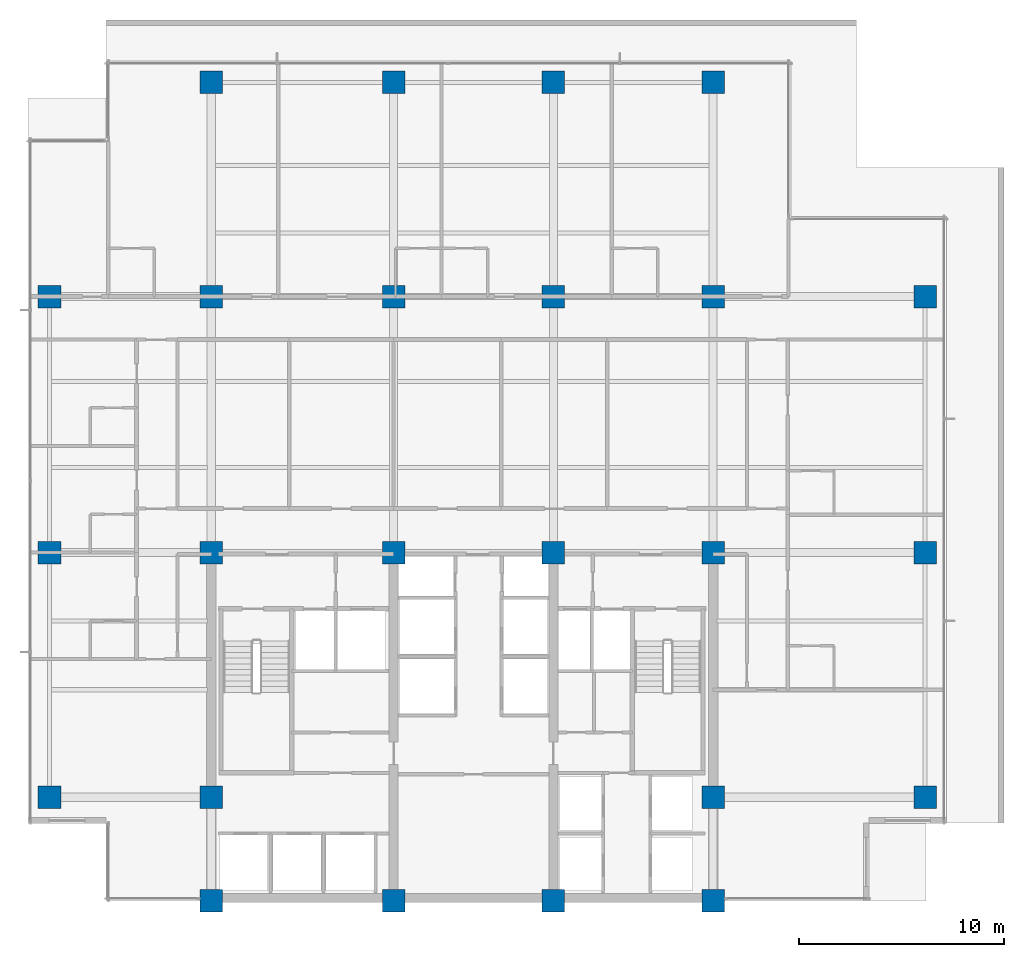
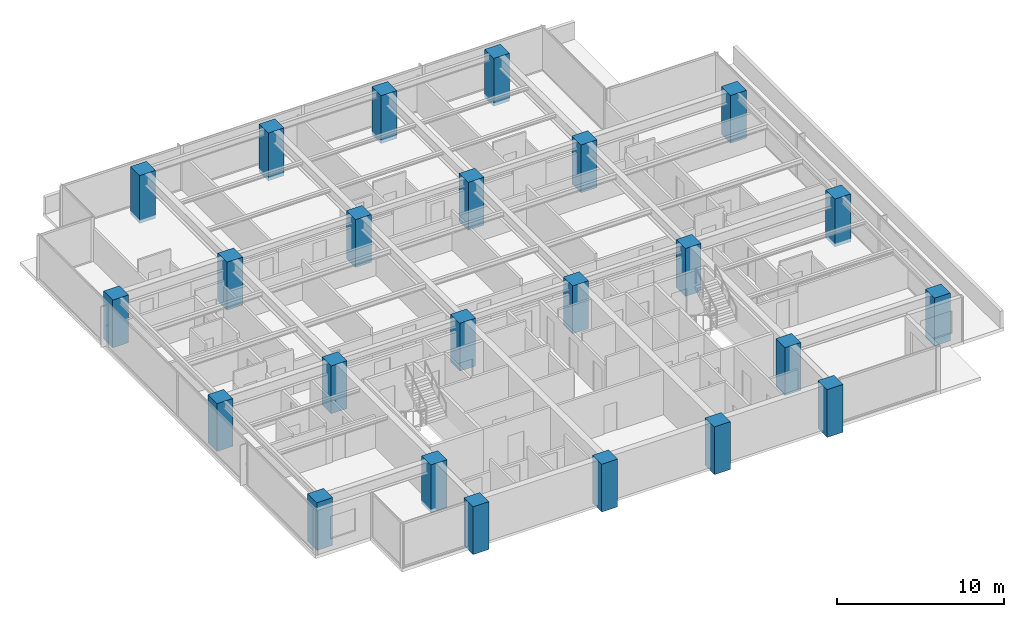
# One storey, part 1 of 16: 24 columns.
"""IFC4 building model written with IfcOpenShell, lengths in metres."""

import ifcopenshell
import ifcopenshell.guid

model = None  # the IFC model being written
_history = None  # IfcOwnerHistory: only IFC2X3 demands one
_inside = {}  # id of a spatial element -> (the spatial element, [elements in it])
_under = {}  # id of a project, library or spatial element -> (it, [spatial elements below it])
_declared = {}  # id of a project -> (the project, [libraries it declares])
_typed = {}  # id of a type object -> (the type object, [elements of that type])
_made_of = {}  # id of a material, layer set ... -> (it, [elements and type objects made of it])


def new_model(schema):
    """Start an empty IFC model of exactly this schema.

    Asked for "IFC4X3", IfcOpenShell would pick the latest addendum, in which some entities
    have other attributes; the version numbers below select the first issue.
    IFC2X3 requires an IfcOwnerHistory on every rooted entity: one is made here for all.
    """
    global model, _history
    if schema == "IFC4X3":
        model = ifcopenshell.file(schema_version=(4, 3, 0, 0))
    else:
        model = ifcopenshell.file(schema=schema)
    _inside.clear()
    _under.clear()
    _declared.clear()
    _typed.clear()
    _made_of.clear()
    _history = None
    if model.schema == "IFC2X3":
        org = make("IfcOrganization", Name="unknown")
        user = make(
            "IfcPersonAndOrganization",
            ThePerson=make("IfcPerson", FamilyName="unknown"),
            TheOrganization=org,
        )
        app = make(
            "IfcApplication",
            ApplicationDeveloper=org,
            Version="unknown",
            ApplicationFullName="unknown",
            ApplicationIdentifier="unknown",
        )
        _history = make(
            "IfcOwnerHistory",
            OwningUser=user,
            OwningApplication=app,
            ChangeAction="ADDED",
            CreationDate=0,
        )
    return model


def make(cls, **values):
    """One entity of the class cls with the attributes given. An attribute that is None is left unset."""
    return model.create_entity(
        cls, **{name: value for name, value in values.items() if value is not None}
    )


def rooted(cls, **values):
    """An entity with a GlobalId (a new one), such as an element, a storey or a relation."""
    return make(cls, GlobalId=ifcopenshell.guid.new(), OwnerHistory=_history, **values)


def si_unit(unit_type, name, prefix=None):
    """IfcSIUnit, for example si_unit("LENGTHUNIT", "METRE", prefix="MILLI")."""
    return make("IfcSIUnit", UnitType=unit_type, Prefix=prefix, Name=name)


def assignment(units):
    """IfcUnitAssignment: the units of a project."""
    return None if units is None else make("IfcUnitAssignment", Units=units)


def point(xyz):
    """IfcCartesianPoint."""
    return None if xyz is None else make("IfcCartesianPoint", Coordinates=xyz)


def direction(xyz):
    """IfcDirection."""
    return None if xyz is None else make("IfcDirection", DirectionRatios=xyz)


def frame(location, z_axis=None, x_axis=None):
    """IfcAxis2Placement3D, a coordinate frame: its origin and axes. An axis left out is left unset."""
    return make(
        "IfcAxis2Placement3D",
        Location=point(location),
        Axis=direction(z_axis),
        RefDirection=direction(x_axis),
    )


def frame_2d(location, x_axis=None):
    """IfcAxis2Placement2D, a coordinate frame in the plane: its origin and x axis."""
    return make(
        "IfcAxis2Placement2D", Location=point(location), RefDirection=direction(x_axis)
    )


def origin():
    """The frame at (0, 0, 0) with its axes left unset."""
    return frame((0.0, 0.0, 0.0))


def origin_2d():
    """The frame at (0, 0) in the plane with its x axis left unset."""
    return frame_2d((0.0, 0.0))


def place(relative_to, where):
    """IfcLocalPlacement: puts the frame where relative to a parent placement (None: the world)."""
    return make(
        "IfcLocalPlacement", PlacementRelTo=relative_to, RelativePlacement=where
    )


def context(
    kind, dimensions, precision=None, world=None, true_north=None, identifier=None
):
    """IfcGeometricRepresentationContext, for example the 3D "Model" context."""
    return make(
        "IfcGeometricRepresentationContext",
        ContextIdentifier=identifier,
        ContextType=kind,
        CoordinateSpaceDimension=dimensions,
        Precision=precision,
        WorldCoordinateSystem=world,
        TrueNorth=true_north,
    )


def subcontext(parent, identifier, kind, view, scale=None):
    """IfcGeometricRepresentationSubContext, for example "Body" below "Model"."""
    return make(
        "IfcGeometricRepresentationSubContext",
        ContextIdentifier=identifier,
        ContextType=kind,
        ParentContext=parent,
        TargetScale=scale,
        TargetView=view,
    )


def project(units=None, contexts=None):
    """IfcProject with its units and contexts."""
    return rooted(
        "IfcProject",
        Name="project",
        RepresentationContexts=contexts,
        UnitsInContext=assignment(units),
    )


def spatial(cls, under=None, at=None, **own):
    """A site, building, storey or space (cls), placed at a placement, below another one or the project."""
    s = rooted(cls, ObjectPlacement=at, **own)
    if under is not None:
        _under.setdefault(under.id(), (under, []))[1].append(s)
    return s


def profile(cls, at=None, kind="AREA", **sizes):
    """A parametric profile (cls). Its sizes go by their IFC names, for example OverallWidth=200.0."""
    return make(cls, ProfileType=kind, Position=at, **sizes)


def rectangle(**sizes):
    """IfcRectangleProfileDef."""
    return profile("IfcRectangleProfileDef", **sizes)


def extrude(swept, where, along, depth):
    """IfcExtrudedAreaSolid: the profile swept, set in the frame where, extruded along a direction by depth."""
    return make(
        "IfcExtrudedAreaSolid",
        SweptArea=swept,
        Position=where,
        ExtrudedDirection=direction(along),
        Depth=depth,
    )


def shape(context_of_items, identifier, shape_type, items):
    """IfcShapeRepresentation: the items that make up one representation, for example the "Body"."""
    return make(
        "IfcShapeRepresentation",
        ContextOfItems=context_of_items,
        RepresentationIdentifier=identifier,
        RepresentationType=shape_type,
        Items=items,
    )


def material(Name=None, Category=None):
    """IfcMaterial."""
    return make("IfcMaterial", Name=Name, Category=Category)


def material_profile(
    of_material, cross_section, Name=None, Category=None, Priority=None
):
    """IfcMaterialProfile: a cross section and its material."""
    return make(
        "IfcMaterialProfile",
        Name=Name,
        Material=of_material,
        Profile=cross_section,
        Priority=Priority,
        Category=Category,
    )


def profile_set(profiles, Name=None, composite=None):
    """IfcMaterialProfileSet."""
    return make(
        "IfcMaterialProfileSet",
        Name=Name,
        MaterialProfiles=profiles,
        CompositeProfile=composite,
    )


def made_of(thing, what):
    """Note that an element or type object is made of a material, layer set ...; save() writes the relation."""
    if what is not None:
        _made_of.setdefault(what.id(), (what, []))[1].append(thing)
    return thing


def type_object(cls, material=None, **own):
    """A type object (cls), such as IfcWallType, which elements share."""
    return made_of(rooted(cls, **own), material)


def element(
    cls,
    number,
    at=None,
    inside=None,
    cuts=None,
    type_object=None,
    material=None,
    context=None,
    identifier="Body",
    shape_type=None,
    held_by="IfcProductDefinitionShape",
    body=None,
    shapes=None,
    **own,
):
    """One element of the class cls, such as IfcWall. Its Tag is "e" and its number.

    at: its placement. inside: the storey or other place that contains it. cuts: it is an
    opening in that element (IfcRelVoidsElement). A single representation is given by context,
    identifier, shape_type and body (its items); several are given by shapes. held_by: the class
    of the entity that holds the representations. save() writes the other relations.
    """
    e = rooted(cls, Tag="e%d" % number, ObjectPlacement=at, **own)
    if body is not None:
        shapes = [shape(context, identifier, shape_type, body)]
    if shapes is not None:
        e.Representation = make(held_by, Representations=shapes)
    if inside is not None:
        _inside.setdefault(inside.id(), (inside, []))[1].append(e)
    if cuts is not None:
        rooted(
            "IfcRelVoidsElement", RelatingBuildingElement=cuts, RelatedOpeningElement=e
        )
    if type_object is not None:
        _typed.setdefault(type_object.id(), (type_object, []))[1].append(e)
    return made_of(e, material)


def aggregate(whole, parts):
    """IfcRelAggregates: a whole, such as a stair, and the parts it consists of."""
    return rooted("IfcRelAggregates", RelatingObject=whole, RelatedObjects=parts)


def save(model, path):
    """Write the relations noted so far, then the file.

    IfcRelAggregates (storeys below a building ...), IfcRelContainedInSpatialStructure (elements
    in a storey), IfcRelDefinesByType, IfcRelAssociatesMaterial and IfcRelDeclares: one each for
    every whole, place, type object, material and project.
    """
    for whole, parts in _under.values():
        aggregate(whole, parts)
    for where, things in _inside.values():
        rooted(
            "IfcRelContainedInSpatialStructure",
            RelatedElements=things,
            RelatingStructure=where,
        )
    for kind, things in _typed.values():
        rooted("IfcRelDefinesByType", RelatedObjects=things, RelatingType=kind)
    for what, things in _made_of.values():
        rooted("IfcRelAssociatesMaterial", RelatedObjects=things, RelatingMaterial=what)
    for by, libraries in _declared.values():
        rooted("IfcRelDeclares", RelatingContext=by, RelatedDefinitions=libraries)
    model.write(path)


model = new_model("IFC4")

# Units and contexts
model_context = context("Model", 3, precision=1e-05, world=origin(), true_north=direction((0.0, 1.0)))
body_context = subcontext(model_context, "Body", "Model", "MODEL_VIEW")
ifc_project = project(units=[si_unit("LENGTHUNIT", "METRE"), si_unit("AREAUNIT", "SQUARE_METRE"), si_unit("VOLUMEUNIT", "CUBIC_METRE"), si_unit("PLANEANGLEUNIT", "RADIAN"), si_unit("MASSUNIT", "GRAM", prefix="KILO")], contexts=[model_context])

# Site, building, storey
site_placement = place(None, origin())
site = spatial("IfcSite", under=ifc_project, at=site_placement, CompositionType="ELEMENT")
building_placement = place(site_placement, origin())
building = spatial("IfcBuilding", under=site, at=building_placement, Name="Qalmaran Belvedere Hotel", CompositionType="ELEMENT")
storey_placement = place(building_placement, frame((0.0, 0.0, 138.60009765625)))
storey = spatial("IfcBuildingStorey", under=building, at=storey_placement, Name="L34", CompositionType="ELEMENT", Elevation=138.60009765625)

# Columns
ifc_material = material(Name="Concrete C50/60", Category="concrete")
ifc_material_profile = material_profile(ifc_material, rectangle(XDim=1.10009765625, YDim=1.10009765625, at=origin_2d()), Name="CC1100X1100")
ifc_profile_set = profile_set([ifc_material_profile], Name="Concrete C50/60")
column_type = type_object("IfcColumnType", Name="COL-Z3-CC1100", PredefinedType="COLUMN", material=ifc_profile_set)
for number, where, z_axis, x_axis, name in (
    (1, (20.300048828125, 3.5, -0.25), (0.0, 0.0, 1.0), (1.0, 0.0, 0.0), "L34 Column C4B"),
    (2, (29.199951171875, 3.5, -0.25), (0.0, 0.0, 1.0), (1.0, 0.0, 0.0), "L34 Column C5B"),
    (3, (37.0, 3.5, -0.25), (0.0, 0.0, 1.0), (1.0, 0.0, 0.0), "L34 Column C6B"),
    (4, (44.800048828125, 3.5, -0.25), (0.0, 0.0, 1.0), (1.0, 0.0, 0.0), "L34 Column C7B"),
    (5, (20.300048828125, 8.550048828125, -0.25), (0.0, 0.0, 1.0), (1.0, 0.0, 0.0), "L34 Column C4C"),
    (6, (44.800048828125, 8.550048828125, -0.25), (0.0, 0.0, 1.0), (1.0, 0.0, 0.0), "L34 Column C7C"),
    (7, (20.300048828125, 20.5, -0.25), (0.0, 0.0, 1.0), (1.0, 0.0, 0.0), "L34 Column C4D"),
    (8, (29.199951171875, 20.5, -0.25), (0.0, 0.0, 1.0), (1.0, 0.0, 0.0), "L34 Column C5D"),
    (9, (37.0, 20.5, -0.25), (0.0, 0.0, 1.0), (1.0, 0.0, 0.0), "L34 Column C6D"),
    (10, (44.800048828125, 20.5, -0.25), (0.0, 0.0, 1.0), (1.0, 0.0, 0.0), "L34 Column C7D"),
    (11, (20.300048828125, 33.0, -0.25), (0.0, 0.0, 1.0), (1.0, 0.0, 0.0), "L34 Column C4F"),
    (12, (29.199951171875, 33.0, -0.25), (0.0, 0.0, 1.0), (1.0, 0.0, 0.0), "L34 Column C5F"),
    (13, (37.0, 33.0, -0.25), (0.0, 0.0, 1.0), (1.0, 0.0, 0.0), "L34 Column C6F"),
    (14, (44.800048828125, 33.0, -0.25), (0.0, 0.0, 1.0), (1.0, 0.0, 0.0), "L34 Column C7F"),
    (15, (12.39990234375, 8.550048828125, -0.25), (0.0, 0.0, 1.0), (1.0, 0.0, 0.0), "L34 Column CW1"),
    (16, (12.39990234375, 20.5, -0.25), (0.0, 0.0, 1.0), (1.0, 0.0, 0.0), "L34 Column CW3"),
    (17, (12.39990234375, 33.0, -0.25), (0.0, 0.0, 1.0), (1.0, 0.0, 0.0), "L34 Column CW4"),
    (18, (55.14990234375, 8.550048828125, -0.25), (0.0, 0.0, 1.0), (1.0, 0.0, 0.0), "L34 Column CE1"),
    (19, (55.14990234375, 20.5, -0.25), (0.0, 0.0, 1.0), (1.0, 0.0, 0.0), "L34 Column CE3"),
    (20, (55.14990234375, 33.0, -0.25), (0.0, 0.0, 1.0), (1.0, 0.0, 0.0), "L34 Column CE4"),
    (21, (20.300048828125, 43.449951171875, -0.25), (0.0, 0.0, 1.0), (1.0, 0.0, 0.0), "L34 Column CN1"),
    (22, (29.199951171875, 43.449951171875, -0.25), (0.0, 0.0, 1.0), (1.0, 0.0, 0.0), "L34 Column CN2"),
    (23, (37.0, 43.449951171875, -0.25), (0.0, 0.0, 1.0), (1.0, 0.0, 0.0), "L34 Column CN3"),
    (24, (44.800048828125, 43.449951171875, -0.25), (0.0, 0.0, 1.0), (1.0, 0.0, 0.0), "L34 Column CN4"),
):
    element("IfcColumn", number, at=place(storey_placement, frame(where, z_axis=z_axis, x_axis=x_axis)), inside=storey, type_object=column_type, Name=name, PredefinedType="COLUMN", context=body_context, shape_type="SweptSolid", body=[
        extrude(rectangle(XDim=1.10009765625, YDim=1.10009765625, at=origin_2d()), origin(), (0.0, 0.0, 1.0), 3.5),
    ])

save(model, "model.ifc")
